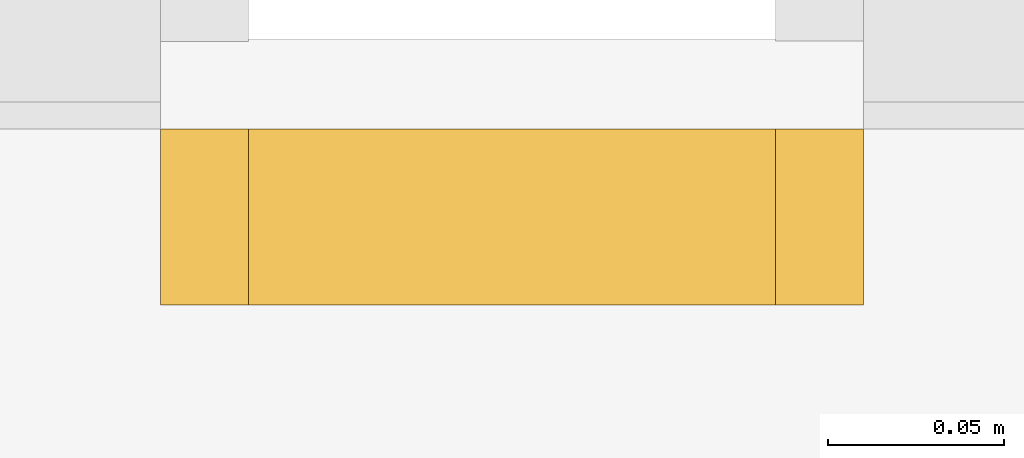
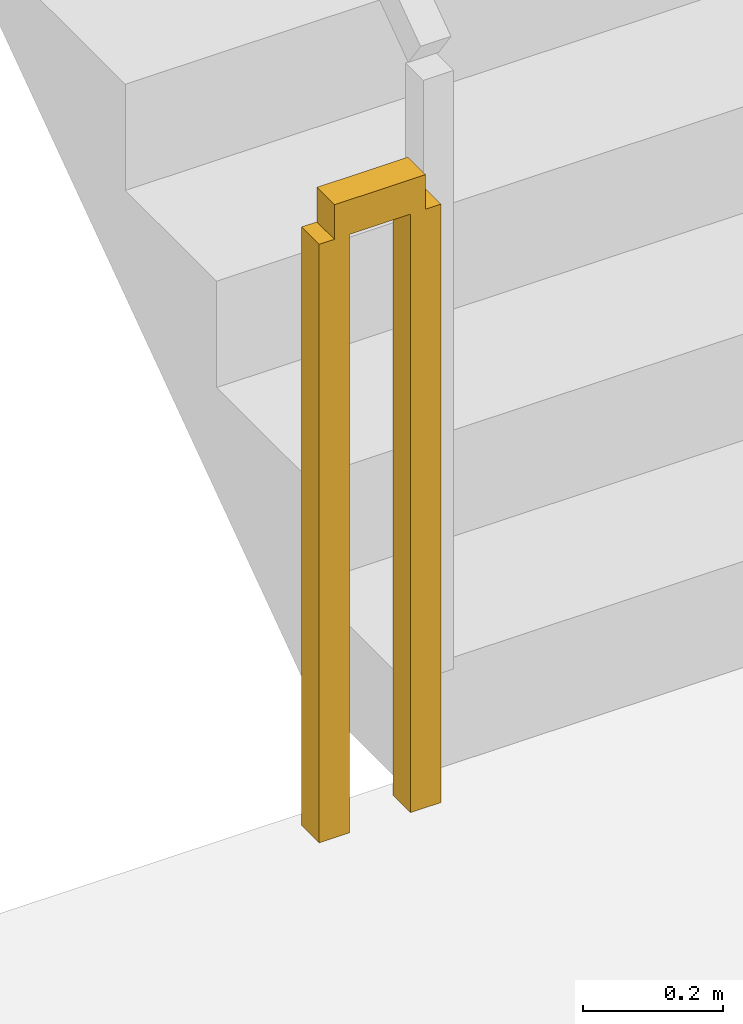
# One storey, part 29 of 32: 1 railing.
"""IFC4 building model written with IfcOpenShell, lengths in metres."""

from ifc_helpers import new_model, si_unit, direction, frame, origin, origin_2d, place, context, subcontext, project, spatial, rectangle, extrude, material, type_object, element, save


model = new_model("IFC4")

# Units and contexts
model_context = context("Model", 3, precision=1e-05, world=origin(), true_north=direction((0.0, 1.0)))
body_context = subcontext(model_context, "Body", "Model", "MODEL_VIEW")
ifc_project = project(units=[si_unit("LENGTHUNIT", "METRE"), si_unit("AREAUNIT", "SQUARE_METRE"), si_unit("VOLUMEUNIT", "CUBIC_METRE"), si_unit("PLANEANGLEUNIT", "RADIAN"), si_unit("MASSUNIT", "GRAM", prefix="KILO")], contexts=[model_context])

# Site, building, storey
site_placement = place(None, origin())
site = spatial("IfcSite", under=ifc_project, at=site_placement, CompositionType="ELEMENT")
building_placement = place(site_placement, origin())
building = spatial("IfcBuilding", under=site, at=building_placement, Name="Khepri Terraces", CompositionType="ELEMENT")
storey_placement = place(building_placement, frame((0.0, 0.0, 12.0)))
storey = spatial("IfcBuildingStorey", under=building, at=storey_placement, Name="L02", CompositionType="ELEMENT", Elevation=12.0)

# Railing
ifc_material = material(Name="Stainless steel 316", Category="steel")
railing_type = type_object("IfcRailingType", Name="RL-POD-GUARD", PredefinedType="GUARDRAIL", material=ifc_material)
railing_placement = place(storey_placement, frame((23.64990234375, 20.0, 0.0)))
element("IfcRailing", 1, at=railing_placement, inside=storey, type_object=railing_type, Name="L02 PS-1 stair guard 4", PredefinedType="GUARDRAIL", context=body_context, shape_type="SweptSolid", body=[
    extrude(rectangle(XDim=0.050048828125, YDim=0.06005859375, at=origin_2d()), frame((0.0, 0.0, 1.070068359375), z_axis=(-1.0, 0.0, 0.0), x_axis=(0.0, -1.0, 0.0)), (0.0, 0.0, 1.0), 0.14990234375),
    extrude(rectangle(XDim=0.050048828125, YDim=0.050048828125, at=origin_2d()), origin(), (0.0, 0.0, 1.0), 1.0400390625),
    extrude(rectangle(XDim=0.050048828125, YDim=0.050048828125, at=origin_2d()), frame((-0.14990234375, 0.0, 0.0)), (0.0, 0.0, 1.0), 1.0400390625),
])

save(model, "model.ifc")
